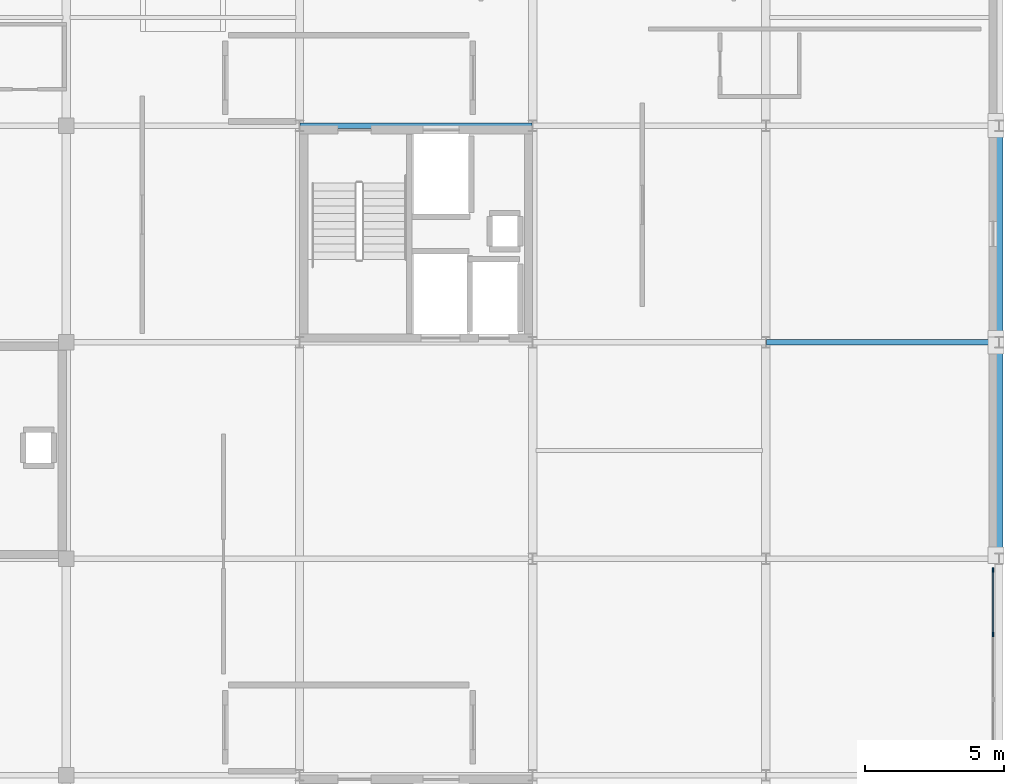
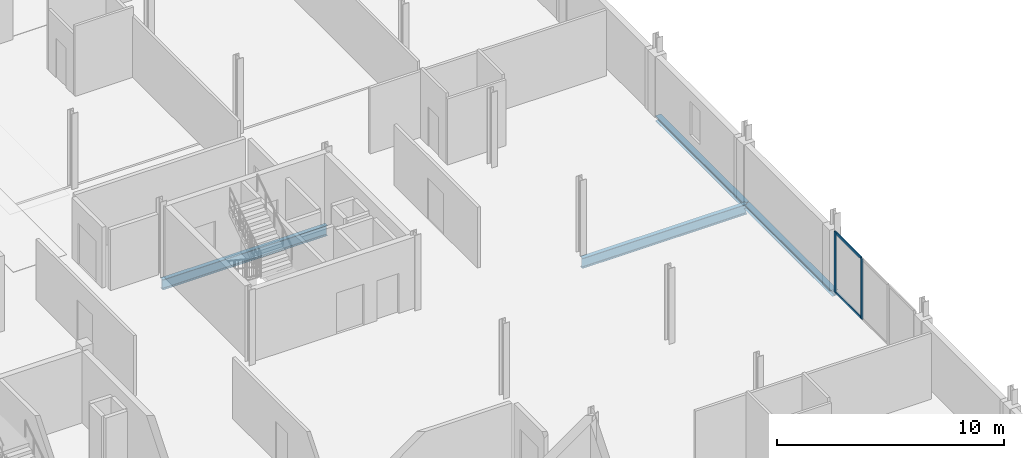
# One storey, part 7 of 20: 4 beams, 4 members, 1 element without a shape of its own.
"""IFC4 building model written with IfcOpenShell, lengths in metres."""

from ifc_helpers import new_model, si_unit, direction, frame, origin, origin_2d, place, context, subcontext, project, spatial, rectangle, i_section, extrude, material, material_profile, profile_set, type_object, element, aggregate, save


model = new_model("IFC4")

# Units and contexts
model_context = context("Model", 3, precision=1e-05, world=origin(), true_north=direction((0.0, 1.0)))
body_context = subcontext(model_context, "Body", "Model", "MODEL_VIEW")
ifc_project = project(units=[si_unit("LENGTHUNIT", "METRE"), si_unit("AREAUNIT", "SQUARE_METRE"), si_unit("VOLUMEUNIT", "CUBIC_METRE"), si_unit("PLANEANGLEUNIT", "RADIAN"), si_unit("MASSUNIT", "GRAM", prefix="KILO")], contexts=[model_context])

# Site, building, storey
site_placement = place(None, origin())
site = spatial("IfcSite", under=ifc_project, at=site_placement, CompositionType="ELEMENT")
building_placement = place(site_placement, origin())
building = spatial("IfcBuilding", under=site, at=building_placement, Name="Nabrawat Pavilion Hospital", CompositionType="ELEMENT")
storey_placement = place(building_placement, frame((0.0, 0.0, 27.0)))
storey = spatial("IfcBuildingStorey", under=building, at=storey_placement, Name="L06", CompositionType="ELEMENT", Elevation=27.0)

# Curtain wall, members
ifc_material_1 = material(Name="Anodised Aluminium", Category="aluminium")
curtain_wall_type = type_object("IfcCurtainWallType", Name="Inpatient Dayroom Bay Curtain Wall", PredefinedType="USERDEFINED", material=ifc_material_1)
curtain_wall_placement = place(storey_placement, origin())
curtain_wall = element("IfcCurtainWall", 1, at=curtain_wall_placement, inside=storey, type_object=curtain_wall_type, Name="L06 Inpatient Dayroom Bay Curtain Wall 154", ObjectType="CURTAIN WALL", PredefinedType="USERDEFINED")
ifc_material_profile_1 = material_profile(ifc_material_1, rectangle(XDim=0.06005859375, YDim=0.159912109375, at=origin_2d()), Name="CWM 60x160")
ifc_profile_set_1 = profile_set([ifc_material_profile_1], Name="Anodised Aluminium")
member_type_1 = type_object("IfcMemberType", Name="Inpatient Dayroom Bay Curtain Wall Mullion CWM 60x160", PredefinedType="MULLION", material=ifc_profile_set_1)
member_1_placement = place(storey_placement, frame((192.97998046875, 59.6767578125, 0.0), z_axis=(0.0, 0.0, 1.0), x_axis=(-1.0, 0.0, 0.0)))
member_1 = element("IfcMember", 2, at=member_1_placement, type_object=member_type_1, Name="CW-WRD-01 mullion 3", PredefinedType="MULLION", context=body_context, shape_type="SweptSolid", body=[
    extrude(rectangle(XDim=0.06005859375, YDim=0.159912109375, at=origin_2d()), origin(), (0.0, 0.0, 1.0), 3.260009765625),
])
member_2_placement = place(storey_placement, frame((192.97998046875, 62.0, 0.0), z_axis=(0.0, 0.0, 1.0), x_axis=(-1.0, 0.0, 0.0)))
member_2 = element("IfcMember", 3, at=member_2_placement, type_object=member_type_1, Name="CW-WRD-01 mullion 4", PredefinedType="MULLION", context=body_context, shape_type="SweptSolid", body=[
    extrude(rectangle(XDim=0.06005859375, YDim=0.159912109375, at=origin_2d()), origin(), (0.0, 0.0, 1.0), 3.260009765625),
])
ifc_material_profile_2 = material_profile(ifc_material_1, rectangle(XDim=0.06005859375, YDim=0.1201171875, at=origin_2d()), Name="CWT 60x120")
ifc_profile_set_2 = profile_set([ifc_material_profile_2], Name="Anodised Aluminium")
member_type_2 = type_object("IfcMemberType", Name="Inpatient Dayroom Bay Curtain Wall Transom CWT 60x120", PredefinedType="USERDEFINED", material=ifc_profile_set_2)
member_3_placement = place(storey_placement, frame((192.97998046875, 59.706787109375, 0.030029296875), z_axis=(0.0, 1.0, 0.0), x_axis=(-1.0, 0.0, 0.0)))
member_3 = element("IfcMember", 4, at=member_3_placement, type_object=member_type_2, Name="CW-WRD-01 transom 3.1", ObjectType="TRANSOM", PredefinedType="USERDEFINED", context=body_context, shape_type="SweptSolid", body=[
    extrude(rectangle(XDim=0.06005859375, YDim=0.1201171875, at=origin_2d()), origin(), (0.0, 0.0, 1.0), 2.26318359375),
])
member_4_placement = place(storey_placement, frame((192.97998046875, 59.706787109375, 3.22998046875), z_axis=(0.0, 1.0, 0.0), x_axis=(-1.0, 0.0, 0.0)))
member_4 = element("IfcMember", 5, at=member_4_placement, type_object=member_type_2, Name="CW-WRD-01 transom 3.2", ObjectType="TRANSOM", PredefinedType="USERDEFINED", context=body_context, shape_type="SweptSolid", body=[
    extrude(rectangle(XDim=0.06005859375, YDim=0.1201171875, at=origin_2d()), origin(), (0.0, 0.0, 1.0), 2.26318359375),
])
aggregate(curtain_wall, [member_1, member_2, member_3, member_4])

# Beams
ifc_material_2 = material(Name="Steel S355", Category="steel")
ifc_material_profile_3 = material_profile(ifc_material_2, i_section(OverallWidth=0.2099609375, OverallDepth=0.550048828125, WebThickness=0.010986328125, FlangeThickness=0.01708984375, FilletRadius=0.02392578125, at=origin_2d()), Name="IPE 550")
ifc_profile_set_3 = profile_set([ifc_material_profile_3], Name="Steel S355")
beam_type_1 = type_object("IfcBeamType", Name="Long-Span Floor Girder IPE 550", PredefinedType="USERDEFINED", material=ifc_profile_set_3)
for number, where, z_axis, x_axis, name in (
    (6, (184.820068359375, 70.199951171875, -0.5048828125), (1.0, 0.0, 0.0), (0.0, 1.0, 0.0), "L06 Primary X Girder 2146"),
    (7, (168.02001953125, 78.0, -0.5048828125), (1.0, 0.0, 0.0), (0.0, 1.0, 0.0), "L06 Primary X Girder 2150"),
):
    element("IfcBeam", number, at=place(storey_placement, frame(where, z_axis=z_axis, x_axis=x_axis)), inside=storey, type_object=beam_type_1, Name=name, ObjectType="GIRDER", PredefinedType="USERDEFINED", context=body_context, shape_type="SweptSolid", body=[
        extrude(i_section(OverallWidth=0.2099609375, OverallDepth=0.550048828125, WebThickness=0.010986328125, FlangeThickness=0.01708984375, FilletRadius=0.02392578125, at=origin_2d()), origin(), (0.0, 0.0, 1.0), 8.35986328125),
    ])
ifc_material_profile_4 = material_profile(ifc_material_2, i_section(OverallWidth=0.280029296875, OverallDepth=0.280029296875, WebThickness=0.010498046875, FlangeThickness=0.01806640625, FilletRadius=0.02392578125, at=origin_2d()), Name="HEB 280")
ifc_profile_set_4 = profile_set([ifc_material_profile_4], Name="Steel S355")
beam_type_2 = type_object("IfcBeamType", Name="Upper Terrace Edge Spandrel HEB 280", PredefinedType="SPANDREL", material=ifc_profile_set_4)
for number, where, z_axis, x_axis, name in (
    (8, (193.199951171875, 62.419921875, -0.3701171875), (0.0, 1.0, 0.0), (-1.0, 0.0, 0.0), "L06 Primary Y Beam 2231"),
    (9, (193.199951171875, 70.219970703125, -0.3701171875), (0.0, 1.0, 0.0), (-1.0, 0.0, 0.0), "L06 Primary Y Beam 2232"),
):
    element("IfcBeam", number, at=place(storey_placement, frame(where, z_axis=z_axis, x_axis=x_axis)), inside=storey, type_object=beam_type_2, Name=name, PredefinedType="SPANDREL", context=body_context, shape_type="SweptSolid", body=[
        extrude(i_section(OverallWidth=0.280029296875, OverallDepth=0.280029296875, WebThickness=0.010498046875, FlangeThickness=0.01806640625, FilletRadius=0.02392578125, at=origin_2d()), origin(), (0.0, 0.0, 1.0), 7.760009765625),
    ])

save(model, "model.ifc")
